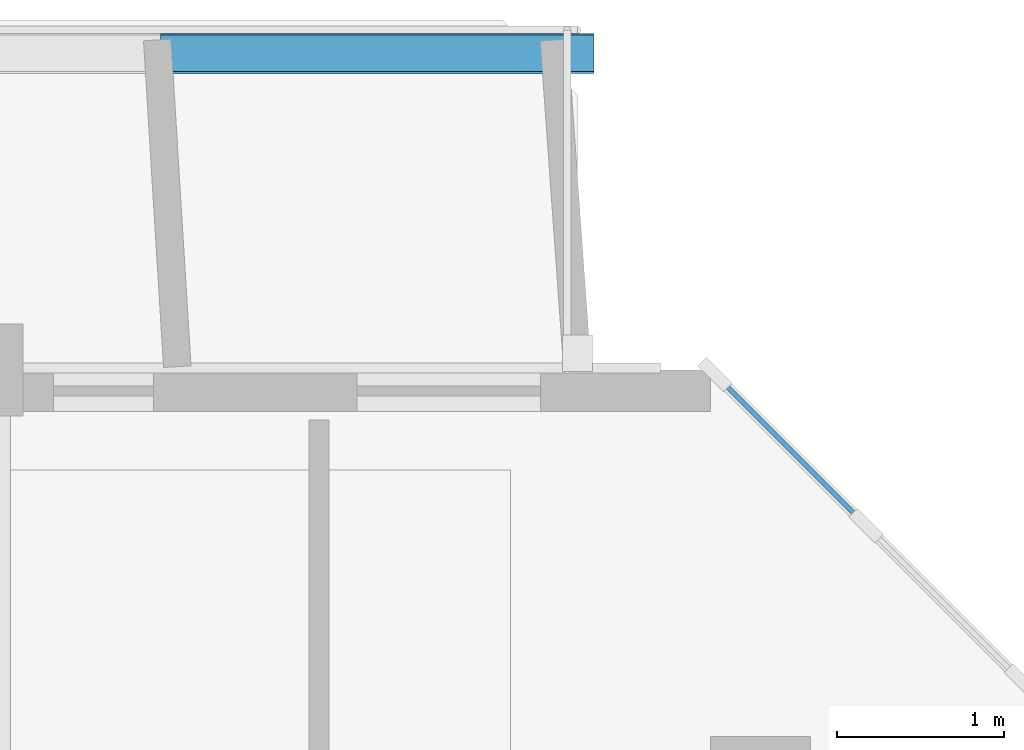
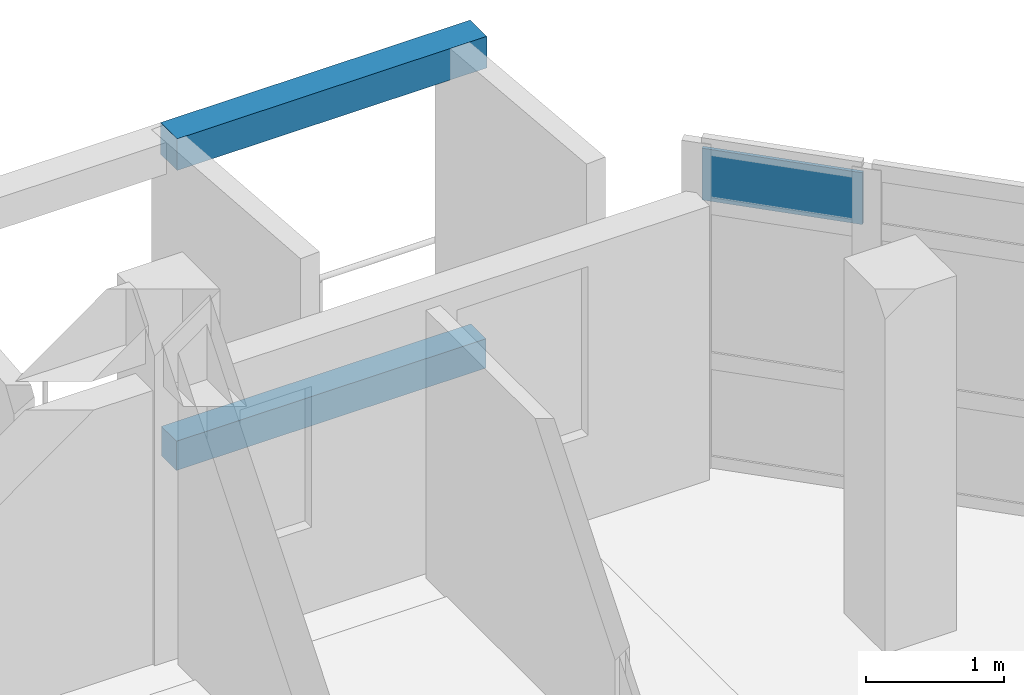
# One storey, part 19 of 51: 3 plates, 1 element without a shape of its own.
"""IFC4 building model written with IfcOpenShell, lengths in metres."""

from ifc_helpers import new_model, si_unit, direction, frame, origin, origin_2d, place, context, subcontext, project, spatial, rectangle, extrude, material, layer, layer_set, type_object, element, aggregate, save


model = new_model("IFC4")

# Units and contexts
model_context = context("Model", 3, precision=1e-05, world=origin(), true_north=direction((0.0, 1.0)))
body_context = subcontext(model_context, "Body", "Model", "MODEL_VIEW")
ifc_project = project(units=[si_unit("LENGTHUNIT", "METRE"), si_unit("AREAUNIT", "SQUARE_METRE"), si_unit("VOLUMEUNIT", "CUBIC_METRE"), si_unit("PLANEANGLEUNIT", "RADIAN"), si_unit("MASSUNIT", "GRAM", prefix="KILO")], contexts=[model_context])

# Site, building, storey
site_placement = place(None, origin())
site = spatial("IfcSite", under=ifc_project, at=site_placement, CompositionType="ELEMENT")
building_placement = place(site_placement, origin())
building = spatial("IfcBuilding", under=site, at=building_placement, Name="Ochrevale Crest", CompositionType="ELEMENT")
storey_placement = place(building_placement, frame((0.0, 0.0, 11.85009765625)))
storey = spatial("IfcBuildingStorey", under=building, at=storey_placement, Name="L03", CompositionType="ELEMENT", Elevation=11.85009765625)

# Curtain wall, plate
ifc_material_1 = material(Name="Anodised aluminium 6063-T5", Category="aluminium")
ifc_layer_1 = layer(ifc_material_1, 0.14990234375)
ifc_layer_set_1 = layer_set([ifc_layer_1], Name="Anodised aluminium 6063-T5")
curtain_wall_type = type_object("IfcCurtainWallType", Name="CW-WG-320x285", PredefinedType="NOTDEFINED", material=ifc_layer_set_1)
curtain_wall_placement = place(storey_placement, origin())
curtain_wall = element("IfcCurtainWall", 1, at=curtain_wall_placement, inside=storey, type_object=curtain_wall_type, Name="Block D L03 chamfered corner wintergarden curtain wall 4", PredefinedType="NOTDEFINED")
ifc_material_2 = material(Name="Double-glazed low-E insulated glass unit", Category="glass")
ifc_layer_2 = layer(ifc_material_2, 0.028076171875)
ifc_layer_set_2 = layer_set([ifc_layer_2], Name="Double-glazed low-E insulated glass unit")
plate_type_1 = type_object("IfcPlateType", Name="CW-PNL-IGU28", PredefinedType="CURTAIN_PANEL", material=ifc_layer_set_2)
plate_1_placement = place(storey_placement, frame((163.280029296875, 93.1201171875, 2.35498046875), z_axis=(0.0, 0.0, 1.0), x_axis=(-0.707106781187, 0.707106781187, 0.0)))
plate_1 = element("IfcPlate", 2, at=plate_1_placement, type_object=plate_type_1, Name="CW17 panel 3.3", PredefinedType="CURTAIN_PANEL", context=body_context, shape_type="SweptSolid", body=[
    extrude(rectangle(XDim=1.20751953125, YDim=0.028076171875, at=origin_2d()), origin(), (0.0, 0.0, 1.0), 0.4599609375),
])
aggregate(curtain_wall, [plate_1])

# Plates
ifc_material_3 = material(Name="Precast concrete C40/50", Category="concrete")
ifc_layer_3 = layer(ifc_material_3, 0.06005859375)
ifc_layer_set_3 = layer_set([ifc_layer_3], Name="Precast concrete C40/50")
plate_type_2 = type_object("IfcPlateType", Name="PLT-HC-HEAD-60", PredefinedType="USERDEFINED", material=ifc_layer_set_3)
plate_2_placement = place(storey_placement, frame((160.800048828125, 95.5, 2.669921875), z_axis=(0.0, 0.0, 1.0), x_axis=(1.0, 0.0, 0.0)))
element("IfcPlate", 3, at=plate_2_placement, inside=storey, type_object=plate_type_2, Name="Block D L03 N honeycomb arched lintel fascia 12", ObjectType="FACADE FASCIA PLATE", PredefinedType="USERDEFINED", context=body_context, shape_type="SweptSolid", body=[
    extrude(rectangle(XDim=2.60009765625, YDim=0.239990234375, at=origin_2d()), origin(), (0.0, 0.0, 1.0), 0.280029296875),
])
ifc_layer_4 = layer(ifc_material_3, 0.044921875)
ifc_layer_set_4 = layer_set([ifc_layer_4], Name="Precast concrete C40/50")
plate_type_3 = type_object("IfcPlateType", Name="PLT-HC-SILL-45", PredefinedType="USERDEFINED", material=ifc_layer_set_4)
plate_3_placement = place(storey_placement, frame((160.800048828125, 95.5, 0.0), z_axis=(0.0, 0.0, 1.0), x_axis=(1.0, 0.0, 0.0)))
element("IfcPlate", 4, at=plate_3_placement, inside=storey, type_object=plate_type_3, Name="Block D L03 N honeycomb sill coping plate 12", ObjectType="SILL COPING PLATE", PredefinedType="USERDEFINED", context=body_context, shape_type="SweptSolid", body=[
    extrude(rectangle(XDim=2.60009765625, YDim=0.219970703125, at=origin_2d()), origin(), (0.0, 0.0, 1.0), 0.260009765625),
])

save(model, "model.ifc")
